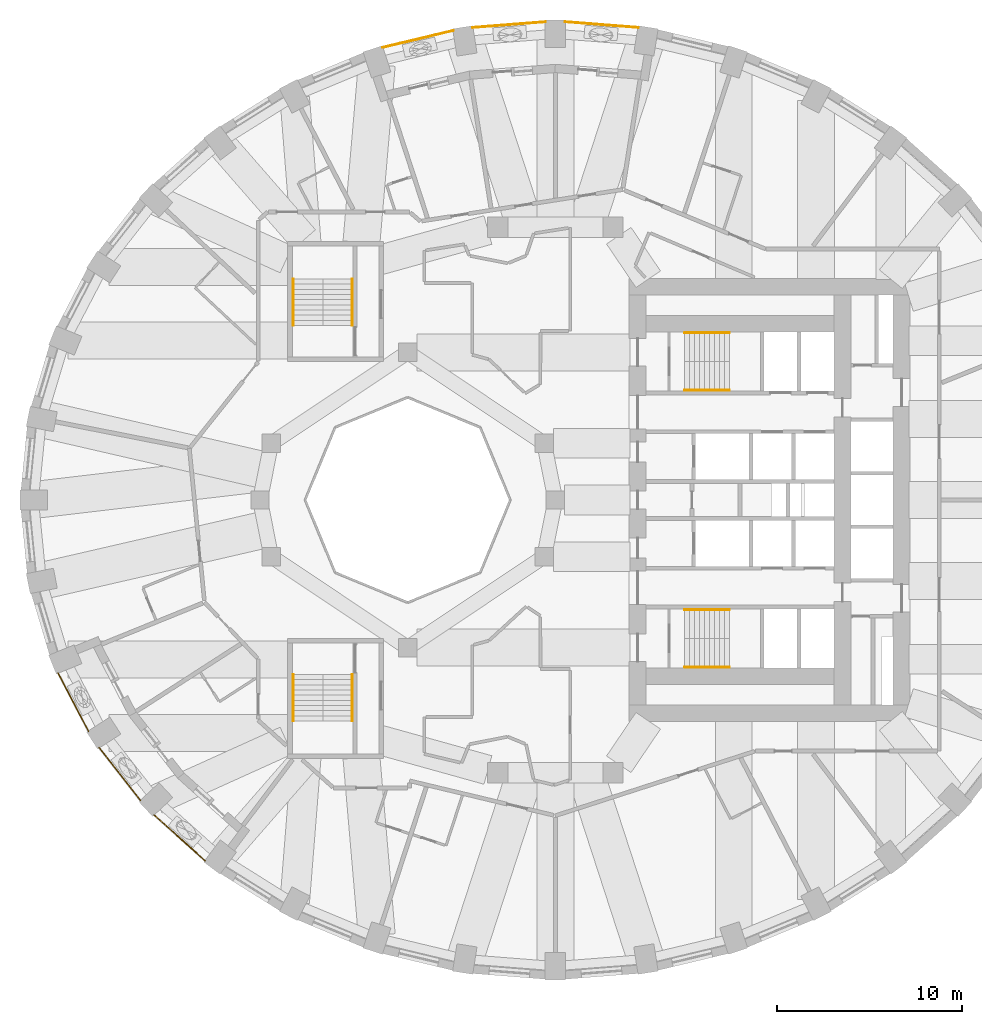
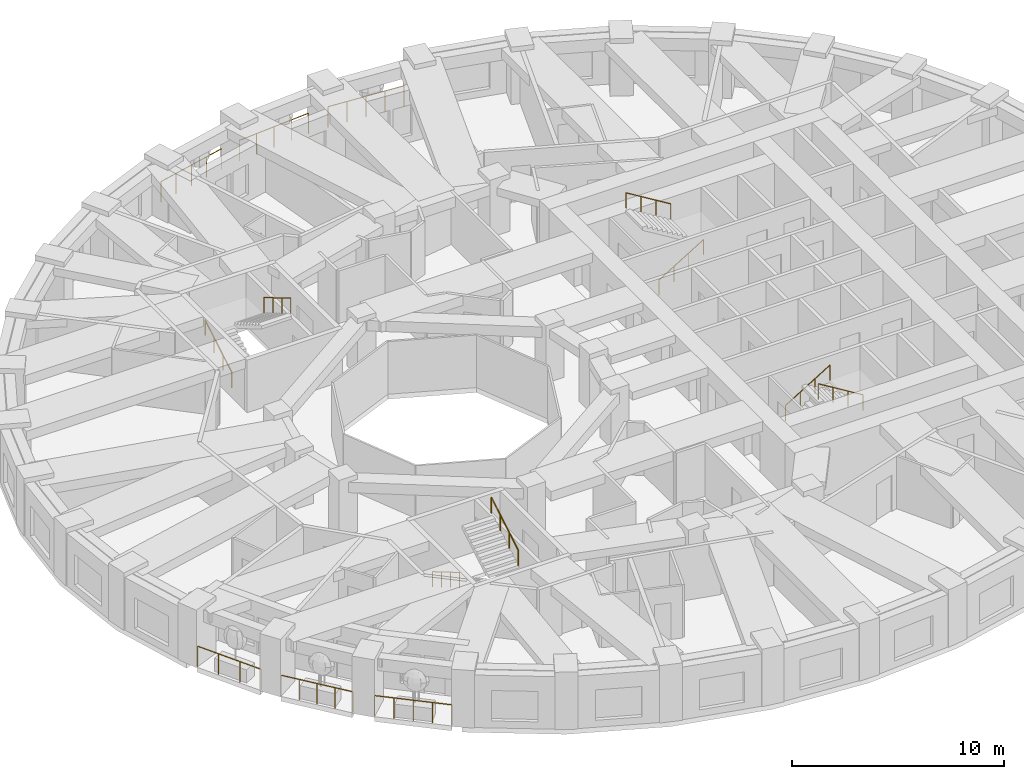
# One storey, part 11 of 13: 14 railings.
"""IFC4 building model written with IfcOpenShell, lengths in metres."""

from ifc_helpers import new_model, si_unit, direction, frame, origin, origin_2d, place, context, subcontext, project, spatial, circle, extrude, material, type_object, element, save


model = new_model("IFC4")

# Units and contexts
model_context = context("Model", 3, precision=1e-05, world=origin(), true_north=direction((0.0, 1.0)))
body_context = subcontext(model_context, "Body", "Model", "MODEL_VIEW")
ifc_project = project(units=[si_unit("LENGTHUNIT", "METRE"), si_unit("AREAUNIT", "SQUARE_METRE"), si_unit("VOLUMEUNIT", "CUBIC_METRE"), si_unit("PLANEANGLEUNIT", "RADIAN"), si_unit("MASSUNIT", "GRAM", prefix="KILO")], contexts=[model_context])

# Site, building, storey
site_placement = place(None, origin())
site = spatial("IfcSite", under=ifc_project, at=site_placement, CompositionType="ELEMENT")
building_placement = place(site_placement, origin())
building = spatial("IfcBuilding", under=site, at=building_placement, Name="Taillehof Tower", CompositionType="ELEMENT")
storey_placement = place(building_placement, frame((0.0, 0.0, 58.0)))
storey = spatial("IfcBuildingStorey", under=building, at=storey_placement, Name="L15", CompositionType="ELEMENT", Elevation=58.0)

# Railings
ifc_material_1 = material(Name="Stainless steel balustrade", Category="steel")
railing_type_1 = type_object("IfcRailingType", Name="Balcony guard 1200", PredefinedType="GUARDRAIL", material=ifc_material_1)
railing_1_placement = place(storey_placement, frame((4.483154296875, 25.589111328125, 0.0)))
element("IfcRailing", 1, at=railing_1_placement, inside=storey, type_object=railing_type_1, Name="Balcony guard L15 bay 9", PredefinedType="GUARDRAIL", context=body_context, shape_type="SweptSolid", body=[
    extrude(circle(Radius=0.02392578125, at=origin_2d()), frame((0.0, 0.0, 1.17578125), z_axis=(-0.996952571778, 0.078010061045, 0.0), x_axis=(-0.078010061045, -0.996952571778, 0.0)), (0.0, 0.0, 1.0), 3.965087890625),
    extrude(circle(Radius=0.02099609375, at=origin_2d()), origin(), (0.0, 0.0, 1.0), 1.15185546875),
    extrude(circle(Radius=0.02099609375, at=origin_2d()), frame((-0.98828125, 0.077392578125, 0.0)), (0.0, 0.0, 1.0), 1.15185546875),
    extrude(circle(Radius=0.02099609375, at=origin_2d()), frame((-1.9765625, 0.15478515625, 0.0)), (0.0, 0.0, 1.0), 1.15185546875),
    extrude(circle(Radius=0.02099609375, at=origin_2d()), frame((-2.96484375, 0.23193359375, 0.0)), (0.0, 0.0, 1.0), 1.15185546875),
    extrude(circle(Radius=0.02099609375, at=origin_2d()), frame((-3.953125, 0.309326171875, 0.0)), (0.0, 0.0, 1.0), 1.15185546875),
])
railing_2_placement = place(storey_placement, frame((-0.530029296875, 25.8984375, 0.0)))
element("IfcRailing", 2, at=railing_2_placement, inside=storey, type_object=railing_type_1, Name="Balcony guard L15 bay 10", PredefinedType="GUARDRAIL", context=body_context, shape_type="SweptSolid", body=[
    extrude(circle(Radius=0.02392578125, at=origin_2d()), frame((0.0, 0.0, 1.17578125), z_axis=(-0.996952571778, -0.078010061045, 0.0), x_axis=(0.078010061045, -0.996952571778, 0.0)), (0.0, 0.0, 1.0), 3.965087890625),
    extrude(circle(Radius=0.02099609375, at=origin_2d()), origin(), (0.0, 0.0, 1.0), 1.15185546875),
    extrude(circle(Radius=0.02099609375, at=origin_2d()), frame((-0.98828125, -0.077392578125, 0.0)), (0.0, 0.0, 1.0), 1.15185546875),
    extrude(circle(Radius=0.02099609375, at=origin_2d()), frame((-1.9765625, -0.15478515625, 0.0)), (0.0, 0.0, 1.0), 1.15185546875),
    extrude(circle(Radius=0.02099609375, at=origin_2d()), frame((-2.96484375, -0.23193359375, 0.0)), (0.0, 0.0, 1.0), 1.15185546875),
    extrude(circle(Radius=0.02099609375, at=origin_2d()), frame((-3.953125, -0.309326171875, 0.0)), (0.0, 0.0, 1.0), 1.15185546875),
])
railing_3_placement = place(storey_placement, frame((-5.5302734375, 25.423828125, 0.0)))
element("IfcRailing", 3, at=railing_3_placement, inside=storey, type_object=railing_type_1, Name="Balcony guard L15 bay 11", PredefinedType="GUARDRAIL", context=body_context, shape_type="SweptSolid", body=[
    extrude(circle(Radius=0.02392578125, at=origin_2d()), frame((0.0, 0.0, 1.17578125), z_axis=(-0.972495275648, -0.232922602687, 0.0), x_axis=(0.232922602687, -0.972495275648, 0.0)), (0.0, 0.0, 1.0), 3.93701171875),
    extrude(circle(Radius=0.02099609375, at=origin_2d()), origin(), (0.0, 0.0, 1.0), 1.15185546875),
    extrude(circle(Radius=0.02099609375, at=origin_2d()), frame((-0.95703125, -0.229248046875, 0.0)), (0.0, 0.0, 1.0), 1.15185546875),
    extrude(circle(Radius=0.02099609375, at=origin_2d()), frame((-1.914306640625, -0.45849609375, 0.0)), (0.0, 0.0, 1.0), 1.15185546875),
    extrude(circle(Radius=0.02099609375, at=origin_2d()), frame((-2.87158203125, -0.687744140625, 0.0)), (0.0, 0.0, 1.0), 1.15185546875),
    extrude(circle(Radius=0.02099609375, at=origin_2d()), frame((-3.82861328125, -0.9169921875, 0.0)), (0.0, 0.0, 1.0), 1.15185546875),
])
railing_4_placement = place(storey_placement, frame((-26.939208984375, -9.36767578125, 0.0)))
element("IfcRailing", 4, at=railing_4_placement, inside=storey, type_object=railing_type_1, Name="Balcony guard L15 bay 21", PredefinedType="GUARDRAIL", context=body_context, shape_type="SweptSolid", body=[
    extrude(circle(Radius=0.02392578125, at=origin_2d()), frame((0.0, 0.0, 1.17578125), z_axis=(0.462523854419, -0.886606837382, 0.0), x_axis=(0.886606837382, 0.462523854419, 0.0)), (0.0, 0.0, 1.0), 3.56298828125),
    extrude(circle(Radius=0.02099609375, at=origin_2d()), origin(), (0.0, 0.0, 1.0), 1.15185546875),
    extrude(circle(Radius=0.02099609375, at=origin_2d()), frame((0.54931640625, -1.052978515625, 0.0)), (0.0, 0.0, 1.0), 1.15185546875),
    extrude(circle(Radius=0.02099609375, at=origin_2d()), frame((1.0986328125, -2.10595703125, 0.0)), (0.0, 0.0, 1.0), 1.15185546875),
    extrude(circle(Radius=0.02099609375, at=origin_2d()), frame((1.64794921875, -3.158935546875, 0.0)), (0.0, 0.0, 1.0), 1.15185546875),
])
railing_5_placement = place(storey_placement, frame((-24.716796875, -13.41748046875, 0.0)))
element("IfcRailing", 5, at=railing_5_placement, inside=storey, type_object=railing_type_1, Name="Balcony guard L15 bay 22", PredefinedType="GUARDRAIL", context=body_context, shape_type="SweptSolid", body=[
    extrude(circle(Radius=0.02392578125, at=origin_2d()), frame((0.0, 0.0, 1.17578125), z_axis=(0.616653661131, -0.787234566196, 0.0), x_axis=(0.787234566196, 0.616653661131, 0.0)), (0.0, 0.0, 1.0), 3.6396484375),
    extrude(circle(Radius=0.02099609375, at=origin_2d()), origin(), (0.0, 0.0, 1.0), 1.15185546875),
    extrude(circle(Radius=0.02099609375, at=origin_2d()), frame((0.56103515625, -0.71630859375, 0.0)), (0.0, 0.0, 1.0), 1.15185546875),
    extrude(circle(Radius=0.02099609375, at=origin_2d()), frame((1.1220703125, -1.4326171875, 0.0)), (0.0, 0.0, 1.0), 1.15185546875),
    extrude(circle(Radius=0.02099609375, at=origin_2d()), frame((1.683349609375, -2.14892578125, 0.0)), (0.0, 0.0, 1.0), 1.15185546875),
    extrude(circle(Radius=0.02099609375, at=origin_2d()), frame((2.244384765625, -2.865234375, 0.0)), (0.0, 0.0, 1.0), 1.15185546875),
])
railing_6_placement = place(storey_placement, frame((-21.74755859375, -17.056396484375, 0.0)))
element("IfcRailing", 6, at=railing_6_placement, inside=storey, type_object=railing_type_1, Name="Balcony guard L15 bay 23", PredefinedType="GUARDRAIL", context=body_context, shape_type="SweptSolid", body=[
    extrude(circle(Radius=0.02392578125, at=origin_2d()), frame((0.0, 0.0, 1.17578125), z_axis=(0.745548021299, -0.666451909696, 0.0), x_axis=(0.666451909696, 0.745548021299, 0.0)), (0.0, 0.0, 1.0), 3.7255859375),
    extrude(circle(Radius=0.02099609375, at=origin_2d()), origin(), (0.0, 0.0, 1.0), 1.15185546875),
    extrude(circle(Radius=0.02099609375, at=origin_2d()), frame((0.6943359375, -0.62060546875, 0.0)), (0.0, 0.0, 1.0), 1.15185546875),
    extrude(circle(Radius=0.02099609375, at=origin_2d()), frame((1.388671875, -1.241455078125, 0.0)), (0.0, 0.0, 1.0), 1.15185546875),
    extrude(circle(Radius=0.02099609375, at=origin_2d()), frame((2.083251953125, -1.8623046875, 0.0)), (0.0, 0.0, 1.0), 1.15185546875),
    extrude(circle(Radius=0.02099609375, at=origin_2d()), frame((2.777587890625, -2.48291015625, 0.0)), (0.0, 0.0, 1.0), 1.15185546875),
])
ifc_material_2 = material(Name="Stainless steel", Category="steel")
railing_type_2 = type_object("IfcRailingType", Name="Stair handrail 900", PredefinedType="HANDRAIL", material=ifc_material_2)
railing_7_placement = place(storey_placement, frame((7.0, 5.949951171875, 0.1650390625)))
element("IfcRailing", 7, at=railing_7_placement, inside=storey, type_object=railing_type_2, Name="Stair S1 handrail", PredefinedType="HANDRAIL", context=body_context, shape_type="SweptSolid", body=[
    extrude(circle(Radius=0.02392578125, at=origin_2d()), frame((0.0, 0.0, 0.8759765625), z_axis=(0.853296667938, 0.0, 0.521425734392), x_axis=(0.0, 1.0, 0.0)), (0.0, 0.0, 1.0), 2.84765625),
    extrude(circle(Radius=0.02099609375, at=origin_2d()), origin(), (0.0, 0.0, 1.0), 0.851806640625),
    extrude(circle(Radius=0.02099609375, at=origin_2d()), frame((0.81005859375, 0.0, 0.494873046875)), (0.0, 0.0, 1.0), 0.851806640625),
    extrude(circle(Radius=0.02099609375, at=origin_2d()), frame((1.619873046875, 0.0, 0.989990234375)), (0.0, 0.0, 1.0), 0.851806640625),
    extrude(circle(Radius=0.02099609375, at=origin_2d()), frame((2.429931640625, 0.0, 1.48486328125)), (0.0, 0.0, 1.0), 0.851806640625),
])
railing_8_placement = place(storey_placement, frame((9.429931640625, 9.050048828125, 1.81494140625)))
element("IfcRailing", 8, at=railing_8_placement, inside=storey, type_object=railing_type_2, Name="Stair S1 handrail", PredefinedType="HANDRAIL", context=body_context, shape_type="SweptSolid", body=[
    extrude(circle(Radius=0.02392578125, at=origin_2d()), frame((0.0, 0.0, 0.8759765625), z_axis=(-0.853258522278, 0.0, 0.521488153423), x_axis=(0.0, -1.0, 0.0)), (0.0, 0.0, 1.0), 2.847900390625),
    extrude(circle(Radius=0.02099609375, at=origin_2d()), origin(), (0.0, 0.0, 1.0), 0.851806640625),
    extrude(circle(Radius=0.02099609375, at=origin_2d()), frame((-0.81005859375, 0.0, 0.4951171875)), (0.0, 0.0, 1.0), 0.851806640625),
    extrude(circle(Radius=0.02099609375, at=origin_2d()), frame((-1.619873046875, 0.0, 0.989990234375)), (0.0, 0.0, 1.0), 0.851806640625),
    extrude(circle(Radius=0.02099609375, at=origin_2d()), frame((-2.429931640625, 0.0, 1.485107421875)), (0.0, 0.0, 1.0), 0.851806640625),
])
railing_9_placement = place(storey_placement, frame((7.0, -5.949951171875, 0.1650390625)))
element("IfcRailing", 9, at=railing_9_placement, inside=storey, type_object=railing_type_2, Name="Stair S2 handrail", PredefinedType="HANDRAIL", context=body_context, shape_type="SweptSolid", body=[
    extrude(circle(Radius=0.02392578125, at=origin_2d()), frame((0.0, 0.0, 0.8759765625), z_axis=(0.853296667938, 0.0, 0.521425734392), x_axis=(0.0, 1.0, 0.0)), (0.0, 0.0, 1.0), 2.84765625),
    extrude(circle(Radius=0.02099609375, at=origin_2d()), origin(), (0.0, 0.0, 1.0), 0.851806640625),
    extrude(circle(Radius=0.02099609375, at=origin_2d()), frame((0.81005859375, 0.0, 0.494873046875)), (0.0, 0.0, 1.0), 0.851806640625),
    extrude(circle(Radius=0.02099609375, at=origin_2d()), frame((1.619873046875, 0.0, 0.989990234375)), (0.0, 0.0, 1.0), 0.851806640625),
    extrude(circle(Radius=0.02099609375, at=origin_2d()), frame((2.429931640625, 0.0, 1.48486328125)), (0.0, 0.0, 1.0), 0.851806640625),
])
railing_10_placement = place(storey_placement, frame((9.429931640625, -9.050048828125, 1.81494140625)))
element("IfcRailing", 10, at=railing_10_placement, inside=storey, type_object=railing_type_2, Name="Stair S2 handrail", PredefinedType="HANDRAIL", context=body_context, shape_type="SweptSolid", body=[
    extrude(circle(Radius=0.02392578125, at=origin_2d()), frame((0.0, 0.0, 0.8759765625), z_axis=(-0.853258522278, 0.0, 0.521488153423), x_axis=(0.0, -1.0, 0.0)), (0.0, 0.0, 1.0), 2.847900390625),
    extrude(circle(Radius=0.02099609375, at=origin_2d()), origin(), (0.0, 0.0, 1.0), 0.851806640625),
    extrude(circle(Radius=0.02099609375, at=origin_2d()), frame((-0.81005859375, 0.0, 0.4951171875)), (0.0, 0.0, 1.0), 0.851806640625),
    extrude(circle(Radius=0.02099609375, at=origin_2d()), frame((-1.619873046875, 0.0, 0.989990234375)), (0.0, 0.0, 1.0), 0.851806640625),
    extrude(circle(Radius=0.02099609375, at=origin_2d()), frame((-2.429931640625, 0.0, 1.485107421875)), (0.0, 0.0, 1.0), 0.851806640625),
])
railing_11_placement = place(storey_placement, frame((-14.199951171875, 9.449951171875, 0.1650390625)))
element("IfcRailing", 11, at=railing_11_placement, inside=storey, type_object=railing_type_2, Name="Stair S3 handrail", PredefinedType="HANDRAIL", context=body_context, shape_type="SweptSolid", body=[
    extrude(circle(Radius=0.02392578125, at=origin_2d()), frame((0.0, 0.0, 0.8759765625), z_axis=(0.0, 0.861560626758, 0.507654692109), x_axis=(-1.0, 0.0, 0.0)), (0.0, 0.0, 1.0), 2.925048828125),
    extrude(circle(Radius=0.02099609375, at=origin_2d()), origin(), (0.0, 0.0, 1.0), 0.851806640625),
    extrude(circle(Radius=0.02099609375, at=origin_2d()), frame((0.0, 0.840087890625, 0.494873046875)), (0.0, 0.0, 1.0), 0.851806640625),
    extrude(circle(Radius=0.02099609375, at=origin_2d()), frame((0.0, 1.679931640625, 0.989990234375)), (0.0, 0.0, 1.0), 0.851806640625),
    extrude(circle(Radius=0.02099609375, at=origin_2d()), frame((0.0, 2.52001953125, 1.48486328125)), (0.0, 0.0, 1.0), 0.851806640625),
])
railing_12_placement = place(storey_placement, frame((-11.0, 11.969970703125, 1.81494140625)))
element("IfcRailing", 12, at=railing_12_placement, inside=storey, type_object=railing_type_2, Name="Stair S3 handrail", PredefinedType="HANDRAIL", context=body_context, shape_type="SweptSolid", body=[
    extrude(circle(Radius=0.02392578125, at=origin_2d()), frame((0.0, 0.0, 0.8759765625), z_axis=(0.0, -0.86152411907, 0.507716645641), x_axis=(1.0, 0.0, 0.0)), (0.0, 0.0, 1.0), 2.925048828125),
    extrude(circle(Radius=0.02099609375, at=origin_2d()), origin(), (0.0, 0.0, 1.0), 0.851806640625),
    extrude(circle(Radius=0.02099609375, at=origin_2d()), frame((0.0, -0.840087890625, 0.4951171875)), (0.0, 0.0, 1.0), 0.851806640625),
    extrude(circle(Radius=0.02099609375, at=origin_2d()), frame((0.0, -1.679931640625, 0.989990234375)), (0.0, 0.0, 1.0), 0.851806640625),
    extrude(circle(Radius=0.02099609375, at=origin_2d()), frame((0.0, -2.52001953125, 1.485107421875)), (0.0, 0.0, 1.0), 0.851806640625),
])
railing_13_placement = place(storey_placement, frame((-14.199951171875, -9.449951171875, 0.1650390625)))
element("IfcRailing", 13, at=railing_13_placement, inside=storey, type_object=railing_type_2, Name="Stair S4 handrail", PredefinedType="HANDRAIL", context=body_context, shape_type="SweptSolid", body=[
    extrude(circle(Radius=0.02392578125, at=origin_2d()), frame((0.0, 0.0, 0.8759765625), z_axis=(0.0, -0.861560626758, 0.507654692109), x_axis=(1.0, 0.0, 0.0)), (0.0, 0.0, 1.0), 2.925048828125),
    extrude(circle(Radius=0.02099609375, at=origin_2d()), origin(), (0.0, 0.0, 1.0), 0.851806640625),
    extrude(circle(Radius=0.02099609375, at=origin_2d()), frame((0.0, -0.840087890625, 0.494873046875)), (0.0, 0.0, 1.0), 0.851806640625),
    extrude(circle(Radius=0.02099609375, at=origin_2d()), frame((0.0, -1.679931640625, 0.989990234375)), (0.0, 0.0, 1.0), 0.851806640625),
    extrude(circle(Radius=0.02099609375, at=origin_2d()), frame((0.0, -2.52001953125, 1.48486328125)), (0.0, 0.0, 1.0), 0.851806640625),
])
railing_14_placement = place(storey_placement, frame((-11.0, -11.969970703125, 1.81494140625)))
element("IfcRailing", 14, at=railing_14_placement, inside=storey, type_object=railing_type_2, Name="Stair S4 handrail", PredefinedType="HANDRAIL", context=body_context, shape_type="SweptSolid", body=[
    extrude(circle(Radius=0.02392578125, at=origin_2d()), frame((0.0, 0.0, 0.8759765625), z_axis=(0.0, 0.86152411907, 0.507716645641), x_axis=(-1.0, 0.0, 0.0)), (0.0, 0.0, 1.0), 2.925048828125),
    extrude(circle(Radius=0.02099609375, at=origin_2d()), origin(), (0.0, 0.0, 1.0), 0.851806640625),
    extrude(circle(Radius=0.02099609375, at=origin_2d()), frame((0.0, 0.840087890625, 0.4951171875)), (0.0, 0.0, 1.0), 0.851806640625),
    extrude(circle(Radius=0.02099609375, at=origin_2d()), frame((0.0, 1.679931640625, 0.989990234375)), (0.0, 0.0, 1.0), 0.851806640625),
    extrude(circle(Radius=0.02099609375, at=origin_2d()), frame((0.0, 2.52001953125, 1.485107421875)), (0.0, 0.0, 1.0), 0.851806640625),
])

save(model, "model.ifc")
